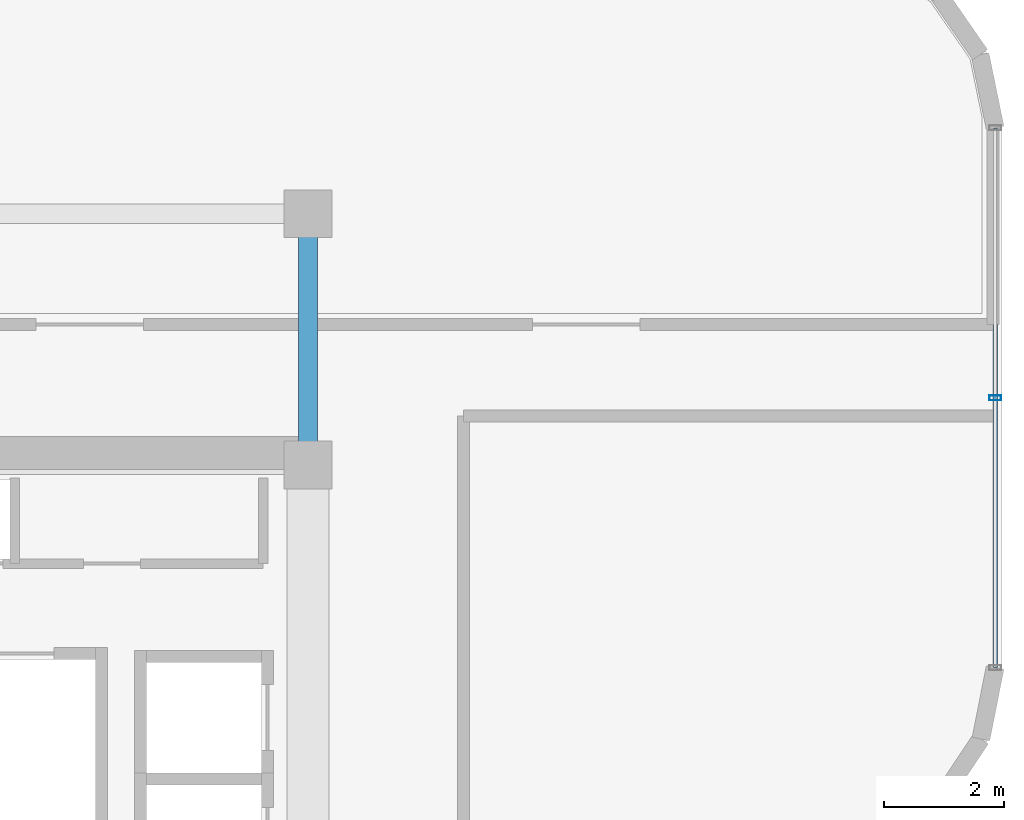
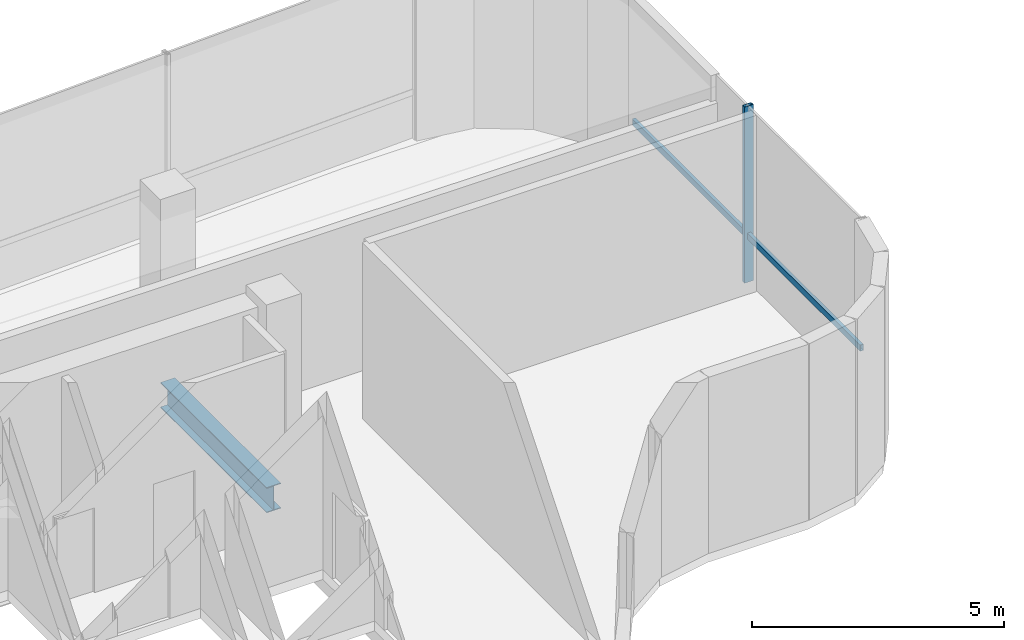
# One storey, part 11 of 19: 2 members, 1 beam, 1 element without a shape of its own.
"""IFC4 building model written with IfcOpenShell, lengths in metres."""

from ifc_helpers import new_model, si_unit, direction, frame, origin, origin_2d, place, context, subcontext, project, spatial, hollow_rectangle, i_section, extrude, source, transform, mapped, material, material_profile, profile_set, type_object, element, aggregate, save


model = new_model("IFC4")

# Units and contexts
model_context = context("Model", 3, precision=1e-05, world=origin(), true_north=direction((0.0, 1.0)))
body_context = subcontext(model_context, "Body", "Model", "MODEL_VIEW")
ifc_project = project(units=[si_unit("LENGTHUNIT", "METRE"), si_unit("AREAUNIT", "SQUARE_METRE"), si_unit("VOLUMEUNIT", "CUBIC_METRE"), si_unit("PLANEANGLEUNIT", "RADIAN"), si_unit("MASSUNIT", "GRAM", prefix="KILO")], contexts=[model_context])

# Site, building, storey
site_placement = place(None, origin())
site = spatial("IfcSite", under=ifc_project, at=site_placement, CompositionType="ELEMENT")
building_placement = place(site_placement, origin())
building = spatial("IfcBuilding", under=site, at=building_placement, Name="Valdorenza Pilgrim Sanctuary Tower", CompositionType="ELEMENT")
storey_placement = place(building_placement, frame((0.0, 0.0, 261.5)))
storey = spatial("IfcBuildingStorey", under=building, at=storey_placement, Name="L68", CompositionType="ELEMENT", Elevation=261.5)

# Beam
ifc_material_1 = material(Name="Steel ASTM A992 Grade 50", Category="steel")
ifc_material_profile_1 = material_profile(ifc_material_1, i_section(OverallWidth=0.323974609375, OverallDepth=0.611083984375, WebThickness=0.0126953125, FlangeThickness=0.01904296875, at=origin_2d()), Name="W24X104")
ifc_profile_set_1 = profile_set([ifc_material_profile_1], Name="Steel ASTM A992 Grade 50")
beam_type = type_object("IfcBeamType", Name="STR-BM-GRD-W24B", PredefinedType="BEAM", material=ifc_profile_set_1)
shared_shape_1 = source(origin(), body_context, "Body", "SweptSolid", [
    extrude(i_section(OverallWidth=0.323974609375, OverallDepth=0.611083984375, WebThickness=0.0126953125, FlangeThickness=0.01904296875, at=origin_2d()), origin(), (0.0, 0.0, 1.0), 4.199951171875),
])
beam_placement = place(storey_placement, frame((-12.39990234375, 10.60009765625, -0.54541015625), z_axis=(0.0, 1.0, 0.0), x_axis=(-1.0, 0.0, 0.0)))
element("IfcBeam", 1, at=beam_placement, inside=storey, type_object=beam_type, Name="L68 Core Tie Girder CA-E-N1N2", PredefinedType="BEAM", context=body_context, shape_type="MappedRepresentation", body=[
    mapped(shared_shape_1, transform((0.0, 0.0, 0.0), x_axis=(1.0, 0.0, 0.0), y_axis=(0.0, 1.0, 0.0), z_axis=(0.0, 0.0, 1.0), scale=1.0)),
])

# Curtain wall, members
ifc_material_2 = material(Name="Curtain-wall IGU glazing", Category="glass")
curtain_wall_type = type_object("IfcCurtainWallType", Name="CW-SYS-02", PredefinedType="NOTDEFINED", material=ifc_material_2)
curtain_wall_placement = place(storey_placement, origin())
curtain_wall = element("IfcCurtainWall", 2, at=curtain_wall_placement, inside=storey, type_object=curtain_wall_type, Name="L68 Curtain Wall CW-L68-1-11", PredefinedType="NOTDEFINED")
ifc_material_3 = material(Name="Anodised aluminium AW-6060", Category="aluminium")
ifc_material_profile_2 = material_profile(ifc_material_3, hollow_rectangle(XDim=0.074951171875, YDim=0.14990234375, WallThickness=0.00390625, at=origin_2d()), Name="ALU-T 150x75x4")
ifc_profile_set_2 = profile_set([ifc_material_profile_2], Name="Anodised aluminium AW-6060")
member_type_1 = type_object("IfcMemberType", Name="CW-TRN-02", PredefinedType="USERDEFINED", material=ifc_profile_set_2)
shared_shape_2 = source(origin(), body_context, "Body", "SweptSolid", [
    extrude(hollow_rectangle(XDim=0.074951171875, YDim=0.14990234375, WallThickness=0.00390625, at=origin_2d()), origin(), (0.0, 0.0, 1.0), 9.023681640625),
])
member_1_placement = place(storey_placement, frame((-0.909912109375, 16.234375, 1.1201171875), z_axis=(0.0, -1.0, 0.0), x_axis=(1.0, 0.0, 0.0)))
member_1 = element("IfcMember", 3, at=member_1_placement, type_object=member_type_1, Name="CW-L68-1-11 Transom 1", ObjectType="TRANSOM", PredefinedType="USERDEFINED", context=body_context, shape_type="MappedRepresentation", body=[
    mapped(shared_shape_2, transform((0.0, 0.0, 0.0), x_axis=(1.0, 0.0, 0.0), y_axis=(0.0, 1.0, 0.0), z_axis=(0.0, 0.0, 1.0), scale=1.0)),
])
ifc_material_profile_3 = material_profile(ifc_material_3, hollow_rectangle(XDim=0.0849609375, YDim=0.199951171875, WallThickness=0.0048828125, at=origin_2d()), Name="ALU-M 200x85x5")
ifc_profile_set_3 = profile_set([ifc_material_profile_3], Name="Anodised aluminium AW-6060")
member_type_2 = type_object("IfcMemberType", Name="CW-MUL-02", PredefinedType="MULLION", material=ifc_profile_set_3)
shared_shape_3 = source(origin(), body_context, "Body", "SweptSolid", [
    extrude(hollow_rectangle(XDim=0.0849609375, YDim=0.199951171875, WallThickness=0.0048828125, at=origin_2d()), origin(), (0.0, 0.0, 1.0), 4.260009765625),
])
member_2_placement = place(storey_placement, frame((-0.909912109375, 11.72265625, 0.0), z_axis=(0.0, 0.0, 1.0), x_axis=(0.0, -1.0, 0.0)))
member_2 = element("IfcMember", 4, at=member_2_placement, type_object=member_type_2, Name="CW-L68-1-11 Mullion 2", PredefinedType="MULLION", context=body_context, shape_type="MappedRepresentation", body=[
    mapped(shared_shape_3, transform((0.0, 0.0, 0.0), x_axis=(1.0, 0.0, 0.0), y_axis=(0.0, 1.0, 0.0), z_axis=(0.0, 0.0, 1.0), scale=1.0)),
])
aggregate(curtain_wall, [member_2, member_1])

save(model, "model.ifc")
